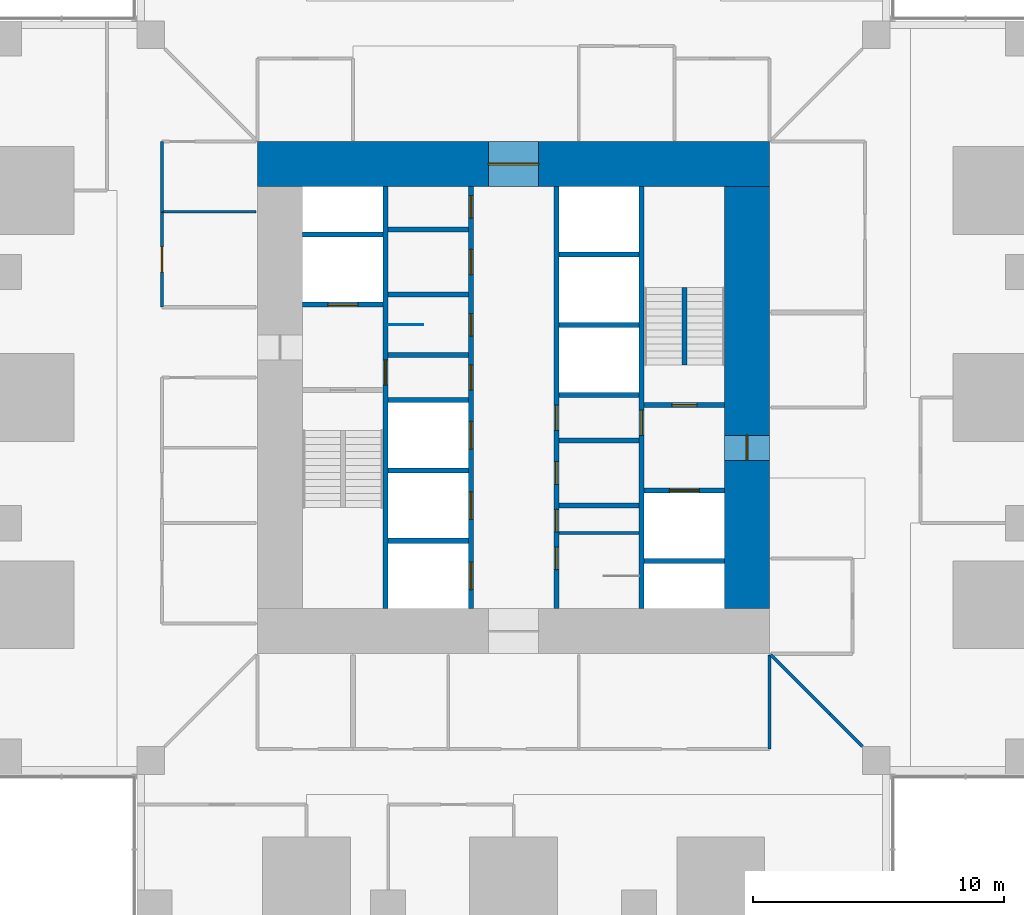
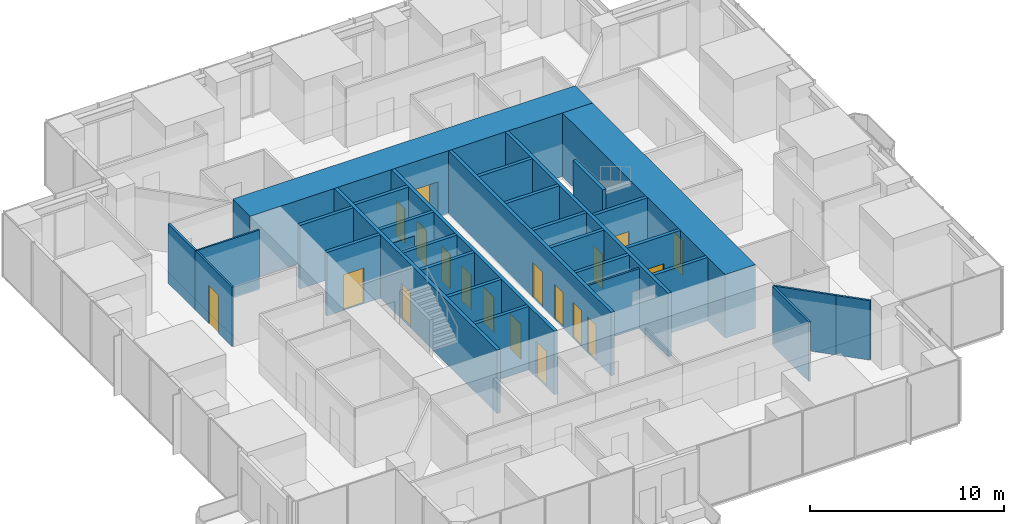
# One storey, part 12 of 17: 31 walls, 19 doors, 19 openings.
"""IFC4 building model written with IfcOpenShell, lengths in metres."""

from ifc_helpers import new_model, si_unit, direction, frame, frame_2d, origin, place, context, subcontext, project, spatial, rectangle, extrude, material, layer, layer_set, type_object, element, fill, save


model = new_model("IFC4")

# Units and contexts
model_context = context("Model", 3, precision=1e-05, world=origin(), true_north=direction((0.0, 1.0)))
body_context = subcontext(model_context, "Body", "Model", "MODEL_VIEW")
ifc_project = project(units=[si_unit("LENGTHUNIT", "METRE"), si_unit("AREAUNIT", "SQUARE_METRE"), si_unit("VOLUMEUNIT", "CUBIC_METRE"), si_unit("PLANEANGLEUNIT", "RADIAN"), si_unit("MASSUNIT", "GRAM", prefix="KILO")], contexts=[model_context])

# Site, building, storey
site_placement = place(None, origin())
site = spatial("IfcSite", under=ifc_project, at=site_placement, CompositionType="ELEMENT")
building_placement = place(site_placement, origin())
building = spatial("IfcBuilding", under=site, at=building_placement, Name="Svetlomir Tower", CompositionType="ELEMENT")
storey_placement = place(building_placement, frame((0.0, 0.0, 70.5)))
storey = spatial("IfcBuildingStorey", under=building, at=storey_placement, Name="L16", CompositionType="ELEMENT", Elevation=70.5)

# Wall, opening, door
ifc_material_1 = material(Name="Concrete C60/75", Category="concrete")
ifc_layer_1 = layer(ifc_material_1, 0.199951171875)
ifc_layer_set_1 = layer_set([ifc_layer_1], Name="Concrete C60/75")
wall_type_1 = type_object("IfcWallType", Name="CORE INNER WALL 200", PredefinedType="SHEAR", material=ifc_layer_set_1)
wall_1_placement = place(storey_placement, frame((15.89990234375, 12.60009765625, -0.050048828125), z_axis=(0.0, 0.0, 1.0), x_axis=(0.0, 1.0, 0.0)))
wall_1 = element("IfcWall", 1, at=wall_1_placement, inside=storey, type_object=wall_type_1, Name="Core inner wall 15.9 L16", PredefinedType="SHEAR", context=body_context, shape_type="SweptSolid", body=[
    extrude(rectangle(XDim=16.7998046875, YDim=0.199951171875, at=frame_2d((8.39990234375, 0.0))), origin(), (0.0, 0.0, 1.0), 4.0),
])
opening_1_placement = place(wall_1_placement, frame((8.89990234375, 0.0, 0.050048828125)))
opening_1 = element("IfcOpeningElement", 2, at=opening_1_placement, cuts=wall_1, Name="Opening DF", PredefinedType="OPENING", context=body_context, shape_type="SweptSolid", body=[
    extrude(rectangle(XDim=1.0, YDim=2.199951171875, at=frame_2d((0.5, 1.10009765625))), frame((0.0, 0.10986328125, 0.0), z_axis=(0.0, -1.0, 0.0), x_axis=(1.0, 0.0, 0.0)), (0.0, 0.0, 1.0), 0.219970703125),
])
ifc_material_2 = material(Name="Steel fire door", Category="steel")
door_type_1 = type_object("IfcDoorType", Name="DOOR DF 1000x2200", OperationType="SINGLE_SWING_LEFT", PredefinedType="DOOR", material=ifc_material_2)
door_1_placement = place(opening_1_placement, origin())
door_1 = element("IfcDoor", 3, at=door_1_placement, inside=storey, type_object=door_type_1, Name="Core corridor west door L16", OperationType="SINGLE_SWING_LEFT", OverallHeight=2.199951171875, OverallWidth=1.0, PredefinedType="DOOR", context=body_context, shape_type="SweptSolid", body=[
    extrude(rectangle(XDim=1.0, YDim=2.199951171875, at=frame_2d((0.5, 1.10009765625))), frame((0.0, 0.02490234375, 0.0), z_axis=(0.0, -1.0, 0.0), x_axis=(1.0, 0.0, 0.0)), (0.0, 0.0, 1.0), 0.050048828125),
])
fill(opening_1, door_1)

# Wall, openings, doors
wall_2_placement = place(storey_placement, frame((19.300048828125, 12.60009765625, -0.050048828125), z_axis=(0.0, 0.0, 1.0), x_axis=(0.0, 1.0, 0.0)))
wall_2 = element("IfcWall", 4, at=wall_2_placement, inside=storey, type_object=wall_type_1, Name="Core inner wall 19.3 L16", PredefinedType="SHEAR", context=body_context, shape_type="SweptSolid", body=[
    extrude(rectangle(XDim=16.7998046875, YDim=0.199951171875, at=frame_2d((8.39990234375, 0.0))), origin(), (0.0, 0.0, 1.0), 4.0),
])
opening_2_placement = place(wall_2_placement, frame((8.699951171875, 0.0, 0.050048828125)))
opening_2 = element("IfcOpeningElement", 5, at=opening_2_placement, cuts=wall_2, Name="Opening DC", PredefinedType="OPENING", context=body_context, shape_type="SweptSolid", body=[
    extrude(rectangle(XDim=1.0, YDim=2.199951171875, at=frame_2d((0.5, 1.10009765625))), frame((0.0, 0.10986328125, 0.0), z_axis=(0.0, -1.0, 0.0), x_axis=(1.0, 0.0, 0.0)), (0.0, 0.0, 1.0), 0.219970703125),
])
opening_3_placement = place(wall_2_placement, frame((10.85009765625, 0.0, 0.050048828125)))
opening_3 = element("IfcOpeningElement", 6, at=opening_3_placement, cuts=wall_2, Name="Opening DW", PredefinedType="OPENING", context=body_context, shape_type="SweptSolid", body=[
    extrude(rectangle(XDim=0.89990234375, YDim=2.199951171875, at=frame_2d((0.449951171875, 1.10009765625))), frame((0.0, 0.10986328125, 0.0), z_axis=(0.0, -1.0, 0.0), x_axis=(1.0, 0.0, 0.0)), (0.0, 0.0, 1.0), 0.219970703125),
])
opening_4_placement = place(wall_2_placement, frame((13.300048828125, 0.0, 0.050048828125)))
opening_4 = element("IfcOpeningElement", 7, at=opening_4_placement, cuts=wall_2, Name="Opening DC", PredefinedType="OPENING", context=body_context, shape_type="SweptSolid", body=[
    extrude(rectangle(XDim=1.0, YDim=2.199951171875, at=frame_2d((0.5, 1.10009765625))), frame((0.0, 0.10986328125, 0.0), z_axis=(0.0, -1.0, 0.0), x_axis=(1.0, 0.0, 0.0)), (0.0, 0.0, 1.0), 0.219970703125),
])
opening_5_placement = place(wall_2_placement, frame((15.550048828125, 0.0, 0.050048828125)))
opening_5 = element("IfcOpeningElement", 8, at=opening_5_placement, cuts=wall_2, Name="Opening DW", PredefinedType="OPENING", context=body_context, shape_type="SweptSolid", body=[
    extrude(rectangle(XDim=0.89990234375, YDim=2.199951171875, at=frame_2d((0.449951171875, 1.10009765625))), frame((0.0, 0.10986328125, 0.0), z_axis=(0.0, -1.0, 0.0), x_axis=(1.0, 0.0, 0.0)), (0.0, 0.0, 1.0), 0.219970703125),
])
opening_6_placement = place(wall_2_placement, frame((0.75, 0.0, 0.050048828125)))
opening_6 = element("IfcOpeningElement", 9, at=opening_6_placement, cuts=wall_2, Name="Opening LD", PredefinedType="OPENING", context=body_context, shape_type="SweptSolid", body=[
    extrude(rectangle(XDim=1.10009765625, YDim=2.199951171875, at=frame_2d((0.550048828125, 1.10009765625))), frame((0.0, 0.10986328125, 0.0), z_axis=(0.0, -1.0, 0.0), x_axis=(1.0, 0.0, 0.0)), (0.0, 0.0, 1.0), 0.219970703125),
])
opening_7_placement = place(wall_2_placement, frame((3.550048828125, 0.0, 0.050048828125)))
opening_7 = element("IfcOpeningElement", 10, at=opening_7_placement, cuts=wall_2, Name="Opening LD", PredefinedType="OPENING", context=body_context, shape_type="SweptSolid", body=[
    extrude(rectangle(XDim=1.10009765625, YDim=2.199951171875, at=frame_2d((0.550048828125, 1.10009765625))), frame((0.0, 0.10986328125, 0.0), z_axis=(0.0, -1.0, 0.0), x_axis=(1.0, 0.0, 0.0)), (0.0, 0.0, 1.0), 0.219970703125),
])
opening_8_placement = place(wall_2_placement, frame((6.35009765625, 0.0, 0.050048828125)))
opening_8 = element("IfcOpeningElement", 11, at=opening_8_placement, cuts=wall_2, Name="Opening LD", PredefinedType="OPENING", context=body_context, shape_type="SweptSolid", body=[
    extrude(rectangle(XDim=1.10009765625, YDim=2.199951171875, at=frame_2d((0.550048828125, 1.10009765625))), frame((0.0, 0.10986328125, 0.0), z_axis=(0.0, -1.0, 0.0), x_axis=(1.0, 0.0, 0.0)), (0.0, 0.0, 1.0), 0.219970703125),
])
ifc_material_3 = material(Name="Timber fire door", Category="wood")
door_type_2 = type_object("IfcDoorType", Name="DOOR DC 1000x2200", OperationType="SINGLE_SWING_LEFT", PredefinedType="DOOR", material=ifc_material_3)
door_2_placement = place(opening_2_placement, origin())
door_2 = element("IfcDoor", 12, at=door_2_placement, inside=storey, type_object=door_type_2, Name="Core corridor west lobby door L16", OperationType="SINGLE_SWING_RIGHT", OverallHeight=2.199951171875, OverallWidth=1.0, PredefinedType="DOOR", context=body_context, shape_type="SweptSolid", body=[
    extrude(rectangle(XDim=1.0, YDim=2.199951171875, at=frame_2d((0.5, 1.10009765625))), frame((0.0, 0.02490234375, 0.0), z_axis=(0.0, -1.0, 0.0), x_axis=(1.0, 0.0, 0.0)), (0.0, 0.0, 1.0), 0.050048828125),
])
fill(opening_2, door_2)
door_3_placement = place(opening_4_placement, origin())
door_3 = element("IfcDoor", 13, at=door_3_placement, inside=storey, type_object=door_type_2, Name="Accessible WC door L16", OperationType="SINGLE_SWING_LEFT", OverallHeight=2.199951171875, OverallWidth=1.0, PredefinedType="DOOR", context=body_context, shape_type="SweptSolid", body=[
    extrude(rectangle(XDim=1.0, YDim=2.199951171875, at=frame_2d((0.5, 1.10009765625))), frame((0.0, 0.02490234375, 0.0), z_axis=(0.0, -1.0, 0.0), x_axis=(1.0, 0.0, 0.0)), (0.0, 0.0, 1.0), 0.050048828125),
])
fill(opening_4, door_3)
ifc_material_4 = material(Name="Timber fire door", Category="wood")
door_type_3 = type_object("IfcDoorType", Name="DOOR DW 900x2200", OperationType="SINGLE_SWING_LEFT", PredefinedType="DOOR", material=ifc_material_4)
door_4_placement = place(opening_3_placement, origin())
door_4 = element("IfcDoor", 14, at=door_4_placement, inside=storey, type_object=door_type_3, Name="Female WC door L16", OperationType="SINGLE_SWING_RIGHT", OverallHeight=2.199951171875, OverallWidth=0.89990234375, PredefinedType="DOOR", context=body_context, shape_type="SweptSolid", body=[
    extrude(rectangle(XDim=0.89990234375, YDim=2.199951171875, at=frame_2d((0.449951171875, 1.10009765625))), frame((0.0, 0.02490234375, 0.0), z_axis=(0.0, -1.0, 0.0), x_axis=(1.0, 0.0, 0.0)), (0.0, 0.0, 1.0), 0.050048828125),
])
fill(opening_3, door_4)
door_5_placement = place(opening_5_placement, origin())
door_5 = element("IfcDoor", 15, at=door_5_placement, inside=storey, type_object=door_type_3, Name="Cleaner's store door L16", OperationType="SINGLE_SWING_RIGHT", OverallHeight=2.199951171875, OverallWidth=0.89990234375, PredefinedType="DOOR", context=body_context, shape_type="SweptSolid", body=[
    extrude(rectangle(XDim=0.89990234375, YDim=2.199951171875, at=frame_2d((0.449951171875, 1.10009765625))), frame((0.0, 0.02490234375, 0.0), z_axis=(0.0, -1.0, 0.0), x_axis=(1.0, 0.0, 0.0)), (0.0, 0.0, 1.0), 0.050048828125),
])
fill(opening_5, door_5)
ifc_material_5 = material(Name="Stainless steel landing door", Category="steel")
door_type_4 = type_object("IfcDoorType", Name="LIFT LANDING DOOR LD 1100x2200", OperationType="DOUBLE_DOOR_SLIDING", PredefinedType="DOOR", material=ifc_material_5)
door_6_placement = place(opening_6_placement, origin())
door_6 = element("IfcDoor", 16, at=door_6_placement, inside=storey, type_object=door_type_4, Name="Landing door lift LA1 L16", OperationType="DOUBLE_DOOR_SLIDING", OverallHeight=2.199951171875, OverallWidth=1.10009765625, PredefinedType="DOOR", context=body_context, shape_type="SweptSolid", body=[
    extrude(rectangle(XDim=1.10009765625, YDim=2.199951171875, at=frame_2d((0.550048828125, 1.10009765625))), frame((0.0, 0.02490234375, 0.0), z_axis=(0.0, -1.0, 0.0), x_axis=(1.0, 0.0, 0.0)), (0.0, 0.0, 1.0), 0.050048828125),
])
fill(opening_6, door_6)
door_7_placement = place(opening_7_placement, origin())
door_7 = element("IfcDoor", 17, at=door_7_placement, inside=storey, type_object=door_type_4, Name="Landing door lift LA2 L16", OperationType="DOUBLE_DOOR_SLIDING", OverallHeight=2.199951171875, OverallWidth=1.10009765625, PredefinedType="DOOR", context=body_context, shape_type="SweptSolid", body=[
    extrude(rectangle(XDim=1.10009765625, YDim=2.199951171875, at=frame_2d((0.550048828125, 1.10009765625))), frame((0.0, 0.02490234375, 0.0), z_axis=(0.0, -1.0, 0.0), x_axis=(1.0, 0.0, 0.0)), (0.0, 0.0, 1.0), 0.050048828125),
])
fill(opening_7, door_7)
door_8_placement = place(opening_8_placement, origin())
door_8 = element("IfcDoor", 18, at=door_8_placement, inside=storey, type_object=door_type_4, Name="Landing door lift LA3 L16", OperationType="DOUBLE_DOOR_SLIDING", OverallHeight=2.199951171875, OverallWidth=1.10009765625, PredefinedType="DOOR", context=body_context, shape_type="SweptSolid", body=[
    extrude(rectangle(XDim=1.10009765625, YDim=2.199951171875, at=frame_2d((0.550048828125, 1.10009765625))), frame((0.0, 0.02490234375, 0.0), z_axis=(0.0, -1.0, 0.0), x_axis=(1.0, 0.0, 0.0)), (0.0, 0.0, 1.0), 0.050048828125),
])
fill(opening_8, door_8)

wall_3_placement = place(storey_placement, frame((22.699951171875, 12.60009765625, -0.050048828125), z_axis=(0.0, 0.0, 1.0), x_axis=(0.0, 1.0, 0.0)))
wall_3 = element("IfcWall", 19, at=wall_3_placement, inside=storey, type_object=wall_type_1, Name="Core inner wall 22.7 L16", PredefinedType="SHEAR", context=body_context, shape_type="SweptSolid", body=[
    extrude(rectangle(XDim=16.7998046875, YDim=0.199951171875, at=frame_2d((8.39990234375, 0.0))), origin(), (0.0, 0.0, 1.0), 4.0),
])
opening_9_placement = place(wall_3_placement, frame((3.050048828125, 0.0, 0.050048828125)))
opening_9 = element("IfcOpeningElement", 20, at=opening_9_placement, cuts=wall_3, Name="Opening DW", PredefinedType="OPENING", context=body_context, shape_type="SweptSolid", body=[
    extrude(rectangle(XDim=0.89990234375, YDim=2.199951171875, at=frame_2d((0.449951171875, 1.10009765625))), frame((0.0, 0.10986328125, 0.0), z_axis=(0.0, -1.0, 0.0), x_axis=(1.0, 0.0, 0.0)), (0.0, 0.0, 1.0), 0.219970703125),
])
opening_10_placement = place(wall_3_placement, frame((7.10009765625, 0.0, 0.050048828125)))
opening_10 = element("IfcOpeningElement", 21, at=opening_10_placement, cuts=wall_3, Name="Opening DC", PredefinedType="OPENING", context=body_context, shape_type="SweptSolid", body=[
    extrude(rectangle(XDim=1.0, YDim=2.199951171875, at=frame_2d((0.5, 1.10009765625))), frame((0.0, 0.10986328125, 0.0), z_axis=(0.0, -1.0, 0.0), x_axis=(1.0, 0.0, 0.0)), (0.0, 0.0, 1.0), 0.219970703125),
])
opening_11_placement = place(wall_3_placement, frame((1.550048828125, 0.0, 0.050048828125)))
opening_11 = element("IfcOpeningElement", 22, at=opening_11_placement, cuts=wall_3, Name="Opening DW", PredefinedType="OPENING", context=body_context, shape_type="SweptSolid", body=[
    extrude(rectangle(XDim=0.89990234375, YDim=2.199951171875, at=frame_2d((0.449951171875, 1.10009765625))), frame((0.0, 0.10986328125, 0.0), z_axis=(0.0, -1.0, 0.0), x_axis=(1.0, 0.0, 0.0)), (0.0, 0.0, 1.0), 0.219970703125),
])
opening_12_placement = place(wall_3_placement, frame((4.949951171875, 0.0, 0.050048828125)))
opening_12 = element("IfcOpeningElement", 23, at=opening_12_placement, cuts=wall_3, Name="Opening DW", PredefinedType="OPENING", context=body_context, shape_type="SweptSolid", body=[
    extrude(rectangle(XDim=0.89990234375, YDim=2.199951171875, at=frame_2d((0.449951171875, 1.10009765625))), frame((0.0, 0.10986328125, 0.0), z_axis=(0.0, -1.0, 0.0), x_axis=(1.0, 0.0, 0.0)), (0.0, 0.0, 1.0), 0.219970703125),
])
door_9_placement = place(opening_10_placement, origin())
door_9 = element("IfcDoor", 24, at=door_9_placement, inside=storey, type_object=door_type_2, Name="Core corridor east lobby door L16", OperationType="SINGLE_SWING_LEFT", OverallHeight=2.199951171875, OverallWidth=1.0, PredefinedType="DOOR", context=body_context, shape_type="SweptSolid", body=[
    extrude(rectangle(XDim=1.0, YDim=2.199951171875, at=frame_2d((0.5, 1.10009765625))), frame((0.0, 0.02490234375, 0.0), z_axis=(0.0, -1.0, 0.0), x_axis=(1.0, 0.0, 0.0)), (0.0, 0.0, 1.0), 0.050048828125),
])
fill(opening_10, door_9)
door_10_placement = place(opening_9_placement, origin())
door_10 = element("IfcDoor", 25, at=door_10_placement, inside=storey, type_object=door_type_3, Name="Shower and changing room door L16", OperationType="SINGLE_SWING_LEFT", OverallHeight=2.199951171875, OverallWidth=0.89990234375, PredefinedType="DOOR", context=body_context, shape_type="SweptSolid", body=[
    extrude(rectangle(XDim=0.89990234375, YDim=2.199951171875, at=frame_2d((0.449951171875, 1.10009765625))), frame((0.0, 0.02490234375, 0.0), z_axis=(0.0, -1.0, 0.0), x_axis=(1.0, 0.0, 0.0)), (0.0, 0.0, 1.0), 0.050048828125),
])
fill(opening_9, door_10)
door_11_placement = place(opening_11_placement, origin())
door_11 = element("IfcDoor", 26, at=door_11_placement, inside=storey, type_object=door_type_3, Name="Male WC door L16", OperationType="SINGLE_SWING_RIGHT", OverallHeight=2.199951171875, OverallWidth=0.89990234375, PredefinedType="DOOR", context=body_context, shape_type="SweptSolid", body=[
    extrude(rectangle(XDim=0.89990234375, YDim=2.199951171875, at=frame_2d((0.449951171875, 1.10009765625))), frame((0.0, 0.02490234375, 0.0), z_axis=(0.0, -1.0, 0.0), x_axis=(1.0, 0.0, 0.0)), (0.0, 0.0, 1.0), 0.050048828125),
])
fill(opening_11, door_11)
door_12_placement = place(opening_12_placement, origin())
door_12 = element("IfcDoor", 27, at=door_12_placement, inside=storey, type_object=door_type_3, Name="Comms room door L16", OperationType="SINGLE_SWING_RIGHT", OverallHeight=2.199951171875, OverallWidth=0.89990234375, PredefinedType="DOOR", context=body_context, shape_type="SweptSolid", body=[
    extrude(rectangle(XDim=0.89990234375, YDim=2.199951171875, at=frame_2d((0.449951171875, 1.10009765625))), frame((0.0, 0.02490234375, 0.0), z_axis=(0.0, -1.0, 0.0), x_axis=(1.0, 0.0, 0.0)), (0.0, 0.0, 1.0), 0.050048828125),
])
fill(opening_12, door_12)

# Wall, opening, door
wall_4_placement = place(storey_placement, frame((26.10009765625, 12.60009765625, -0.050048828125), z_axis=(0.0, 0.0, 1.0), x_axis=(0.0, 1.0, 0.0)))
wall_4 = element("IfcWall", 28, at=wall_4_placement, inside=storey, type_object=wall_type_1, Name="Core inner wall 26.1 L16", PredefinedType="SHEAR", context=body_context, shape_type="SweptSolid", body=[
    extrude(rectangle(XDim=16.7998046875, YDim=0.199951171875, at=frame_2d((8.39990234375, 0.0))), origin(), (0.0, 0.0, 1.0), 4.0),
])
opening_13_placement = place(wall_4_placement, frame((6.89990234375, 0.0, 0.050048828125)))
opening_13 = element("IfcOpeningElement", 29, at=opening_13_placement, cuts=wall_4, Name="Opening DF", PredefinedType="OPENING", context=body_context, shape_type="SweptSolid", body=[
    extrude(rectangle(XDim=1.0, YDim=2.199951171875, at=frame_2d((0.5, 1.10009765625))), frame((0.0, 0.10986328125, 0.0), z_axis=(0.0, -1.0, 0.0), x_axis=(1.0, 0.0, 0.0)), (0.0, 0.0, 1.0), 0.219970703125),
])
door_13_placement = place(opening_13_placement, origin())
door_13 = element("IfcDoor", 30, at=door_13_placement, inside=storey, type_object=door_type_1, Name="Core corridor east door L16", OperationType="SINGLE_SWING_LEFT", OverallHeight=2.199951171875, OverallWidth=1.0, PredefinedType="DOOR", context=body_context, shape_type="SweptSolid", body=[
    extrude(rectangle(XDim=1.0, YDim=2.199951171875, at=frame_2d((0.5, 1.10009765625))), frame((0.0, 0.02490234375, 0.0), z_axis=(0.0, -1.0, 0.0), x_axis=(1.0, 0.0, 0.0)), (0.0, 0.0, 1.0), 0.050048828125),
])
fill(opening_13, door_13)

wall_5_placement = place(storey_placement, frame((12.60009765625, 24.699951171875, -0.050048828125), z_axis=(0.0, 0.0, 1.0), x_axis=(1.0, 0.0, 0.0)))
wall_5 = element("IfcWall", 31, at=wall_5_placement, inside=storey, type_object=wall_type_1, Name="Core inner wall 12.6-15.8/24.7 L16", PredefinedType="SHEAR", context=body_context, shape_type="SweptSolid", body=[
    extrude(rectangle(XDim=3.199951171875, YDim=0.199951171875, at=frame_2d((1.60009765625, 0.0))), origin(), (0.0, 0.0, 1.0), 4.0),
])
opening_14_placement = place(wall_5_placement, frame((1.0, 0.0, 0.050048828125)))
opening_14 = element("IfcOpeningElement", 32, at=opening_14_placement, cuts=wall_5, Name="Opening LD3", PredefinedType="OPENING", context=body_context, shape_type="SweptSolid", body=[
    extrude(rectangle(XDim=1.199951171875, YDim=2.199951171875, at=frame_2d((0.60009765625, 1.10009765625))), frame((0.0, 0.10986328125, 0.0), z_axis=(0.0, -1.0, 0.0), x_axis=(1.0, 0.0, 0.0)), (0.0, 0.0, 1.0), 0.219970703125),
])
ifc_material_6 = material(Name="Stainless steel fire-rated landing door", Category="steel")
door_type_5 = type_object("IfcDoorType", Name="FIREFIGHTING LIFT LANDING DOOR LD3 1200x2200", OperationType="DOUBLE_DOOR_SLIDING", PredefinedType="DOOR", material=ifc_material_6)
door_14_placement = place(opening_14_placement, origin())
door_14 = element("IfcDoor", 33, at=door_14_placement, inside=storey, type_object=door_type_5, Name="Landing door lift FL1 L16", OperationType="DOUBLE_DOOR_SLIDING", OverallHeight=2.199951171875, OverallWidth=1.199951171875, PredefinedType="DOOR", context=body_context, shape_type="SweptSolid", body=[
    extrude(rectangle(XDim=1.199951171875, YDim=2.199951171875, at=frame_2d((0.60009765625, 1.10009765625))), frame((0.0, 0.02490234375, 0.0), z_axis=(0.0, -1.0, 0.0), x_axis=(1.0, 0.0, 0.0)), (0.0, 0.0, 1.0), 0.050048828125),
])
fill(opening_14, door_14)

# Walls
for number, where, z_axis, x_axis, name in (
    (34, (12.60009765625, 27.5, -0.050048828125), (0.0, 0.0, 1.0), (1.0, 0.0, 0.0), "Core inner wall 12.6-15.8/27.5 L16"),
    (35, (16.0, 15.300048828125, -0.050048828125), (0.0, 0.0, 1.0), (1.0, 0.0, 0.0), "Core inner wall 16-19.2/15.3 L16"),
    (36, (16.0, 18.10009765625, -0.050048828125), (0.0, 0.0, 1.0), (1.0, 0.0, 0.0), "Core inner wall 16-19.2/18.1 L16"),
    (37, (16.0, 20.89990234375, -0.050048828125), (0.0, 0.0, 1.0), (1.0, 0.0, 0.0), "Core inner wall 16-19.2/20.9 L16"),
    (38, (16.0, 22.699951171875, -0.050048828125), (0.0, 0.0, 1.0), (1.0, 0.0, 0.0), "Core inner wall 16-19.2/22.7 L16"),
    (39, (16.0, 25.10009765625, -0.050048828125), (0.0, 0.0, 1.0), (1.0, 0.0, 0.0), "Core inner wall 16-19.2/25.1 L16"),
    (40, (16.0, 27.699951171875, -0.050048828125), (0.0, 0.0, 1.0), (1.0, 0.0, 0.0), "Core inner wall 16-19.2/27.7 L16"),
    (41, (22.800048828125, 16.699951171875, -0.050048828125), (0.0, 0.0, 1.0), (1.0, 0.0, 0.0), "Core inner wall 22.8-26/16.7 L16"),
    (42, (22.800048828125, 19.300048828125, -0.050048828125), (0.0, 0.0, 1.0), (1.0, 0.0, 0.0), "Core inner wall 22.8-26/19.3 L16"),
    (43, (22.800048828125, 21.10009765625, -0.050048828125), (0.0, 0.0, 1.0), (1.0, 0.0, 0.0), "Core inner wall 22.8-26/21.1 L16"),
    (44, (22.800048828125, 23.89990234375, -0.050048828125), (0.0, 0.0, 1.0), (1.0, 0.0, 0.0), "Core inner wall 22.8-26/23.9 L16"),
    (45, (22.800048828125, 26.699951171875, -0.050048828125), (0.0, 0.0, 1.0), (1.0, 0.0, 0.0), "Core inner wall 22.8-26/26.7 L16"),
    (46, (26.199951171875, 14.5, -0.050048828125), (0.0, 0.0, 1.0), (1.0, 0.0, 0.0), "Core inner wall 26.2-29.4/14.5 L16"),
):
    element("IfcWall", number, at=place(storey_placement, frame(where, z_axis=z_axis, x_axis=x_axis)), inside=storey, type_object=wall_type_1, Name=name, PredefinedType="SHEAR", context=body_context, shape_type="SweptSolid", body=[
        extrude(rectangle(XDim=3.199951171875, YDim=0.199951171875, at=frame_2d((1.60009765625, 0.0))), origin(), (0.0, 0.0, 1.0), 4.0),
    ])

# Wall, opening, door
wall_6_placement = place(storey_placement, frame((26.199951171875, 17.300048828125, -0.050048828125), z_axis=(0.0, 0.0, 1.0), x_axis=(1.0, 0.0, 0.0)))
wall_6 = element("IfcWall", 47, at=wall_6_placement, inside=storey, type_object=wall_type_1, Name="Core inner wall 26.2-29.4/17.3 L16", PredefinedType="SHEAR", context=body_context, shape_type="SweptSolid", body=[
    extrude(rectangle(XDim=3.199951171875, YDim=0.199951171875, at=frame_2d((1.60009765625, 0.0))), origin(), (0.0, 0.0, 1.0), 4.0),
])
opening_15_placement = place(wall_6_placement, frame((1.0, 0.0, 0.050048828125)))
opening_15 = element("IfcOpeningElement", 48, at=opening_15_placement, cuts=wall_6, Name="Opening LD3", PredefinedType="OPENING", context=body_context, shape_type="SweptSolid", body=[
    extrude(rectangle(XDim=1.199951171875, YDim=2.199951171875, at=frame_2d((0.60009765625, 1.10009765625))), frame((0.0, 0.10986328125, 0.0), z_axis=(0.0, -1.0, 0.0), x_axis=(1.0, 0.0, 0.0)), (0.0, 0.0, 1.0), 0.219970703125),
])
door_15_placement = place(opening_15_placement, origin())
door_15 = element("IfcDoor", 49, at=door_15_placement, inside=storey, type_object=door_type_5, Name="Landing door lift FL2 L16", OperationType="DOUBLE_DOOR_SLIDING", OverallHeight=2.199951171875, OverallWidth=1.199951171875, PredefinedType="DOOR", context=body_context, shape_type="SweptSolid", body=[
    extrude(rectangle(XDim=1.199951171875, YDim=2.199951171875, at=frame_2d((0.60009765625, 1.10009765625))), frame((0.0, 0.02490234375, 0.0), z_axis=(0.0, -1.0, 0.0), x_axis=(1.0, 0.0, 0.0)), (0.0, 0.0, 1.0), 0.050048828125),
])
fill(opening_15, door_15)

wall_7_placement = place(storey_placement, frame((26.199951171875, 20.699951171875, -0.050048828125), z_axis=(0.0, 0.0, 1.0), x_axis=(1.0, 0.0, 0.0)))
wall_7 = element("IfcWall", 50, at=wall_7_placement, inside=storey, type_object=wall_type_1, Name="Core inner wall 26.2-29.4/20.7 L16", PredefinedType="SHEAR", context=body_context, shape_type="SweptSolid", body=[
    extrude(rectangle(XDim=3.199951171875, YDim=0.199951171875, at=frame_2d((1.60009765625, 0.0))), origin(), (0.0, 0.0, 1.0), 4.0),
])
opening_16_placement = place(wall_7_placement, frame((1.10009765625, 0.0, 0.050048828125)))
opening_16 = element("IfcOpeningElement", 51, at=opening_16_placement, cuts=wall_7, Name="Opening DF", PredefinedType="OPENING", context=body_context, shape_type="SweptSolid", body=[
    extrude(rectangle(XDim=1.0, YDim=2.199951171875, at=frame_2d((0.5, 1.10009765625))), frame((0.0, 0.10986328125, 0.0), z_axis=(0.0, -1.0, 0.0), x_axis=(1.0, 0.0, 0.0)), (0.0, 0.0, 1.0), 0.219970703125),
])
door_16_placement = place(opening_16_placement, origin())
door_16 = element("IfcDoor", 52, at=door_16_placement, inside=storey, type_object=door_type_1, Name="Stair S2 door L16", OperationType="SINGLE_SWING_LEFT", OverallHeight=2.199951171875, OverallWidth=1.0, PredefinedType="DOOR", context=body_context, shape_type="SweptSolid", body=[
    extrude(rectangle(XDim=1.0, YDim=2.199951171875, at=frame_2d((0.5, 1.10009765625))), frame((0.0, 0.02490234375, 0.0), z_axis=(0.0, -1.0, 0.0), x_axis=(1.0, 0.0, 0.0)), (0.0, 0.0, 1.0), 0.050048828125),
])
fill(opening_16, door_16)

ifc_material_7 = material(Name="Concrete C60/75", Category="concrete")
ifc_layer_2 = layer(ifc_material_7, 1.800048828125)
ifc_layer_set_2 = layer_set([ifc_layer_2], Name="Concrete C60/75")
wall_type_2 = type_object("IfcWallType", Name="CORE WALL 1800", PredefinedType="SHEAR", material=ifc_layer_set_2)
wall_8_placement = place(storey_placement, frame((10.800048828125, 30.300048828125, -0.050048828125), z_axis=(0.0, 0.0, 1.0), x_axis=(1.0, 0.0, 0.0)))
wall_8 = element("IfcWall", 53, at=wall_8_placement, inside=storey, type_object=wall_type_2, Name="Core wall north L16", PredefinedType="SHEAR", context=body_context, shape_type="SweptSolid", body=[
    extrude(rectangle(XDim=20.39990234375, YDim=1.800048828125, at=frame_2d((10.199951171875, 0.0))), origin(), (0.0, 0.0, 1.0), 4.0),
])
opening_17_placement = place(wall_8_placement, frame((9.199951171875, 0.0, 0.050048828125)))
opening_17 = element("IfcOpeningElement", 54, at=opening_17_placement, cuts=wall_8, Name="Opening DL", PredefinedType="OPENING", context=body_context, shape_type="SweptSolid", body=[
    extrude(rectangle(XDim=2.0, YDim=2.199951171875, at=frame_2d((1.0, 1.10009765625))), frame((0.0, 0.91015625, 0.0), z_axis=(0.0, -1.0, 0.0), x_axis=(1.0, 0.0, 0.0)), (0.0, 0.0, 1.0), 1.820068359375),
])
ifc_material_8 = material(Name="Steel fire door", Category="steel")
door_type_6 = type_object("IfcDoorType", Name="DOOR DL 2000x2200", OperationType="DOUBLE_DOOR_SINGLE_SWING", PredefinedType="DOOR", material=ifc_material_8)
door_17_placement = place(opening_17_placement, origin())
door_17 = element("IfcDoor", 55, at=door_17_placement, inside=storey, type_object=door_type_6, Name="Lift lobby north door L16", OperationType="DOUBLE_DOOR_SINGLE_SWING", OverallHeight=2.199951171875, OverallWidth=2.0, PredefinedType="DOOR", context=body_context, shape_type="SweptSolid", body=[
    extrude(rectangle(XDim=2.0, YDim=2.199951171875, at=frame_2d((1.0, 1.10009765625))), frame((0.0, 0.02490234375, 0.0), z_axis=(0.0, -1.0, 0.0), x_axis=(1.0, 0.0, 0.0)), (0.0, 0.0, 1.0), 0.050048828125),
])
fill(opening_17, door_17)

wall_9_placement = place(storey_placement, frame((30.300048828125, 12.60009765625, -0.050048828125), z_axis=(0.0, 0.0, 1.0), x_axis=(0.0, 1.0, 0.0)))
wall_9 = element("IfcWall", 56, at=wall_9_placement, inside=storey, type_object=wall_type_2, Name="Core wall east L16", PredefinedType="SHEAR", context=body_context, shape_type="SweptSolid", body=[
    extrude(rectangle(XDim=16.7998046875, YDim=1.800048828125, at=frame_2d((8.39990234375, 0.0))), origin(), (0.0, 0.0, 1.0), 4.0),
])
opening_18_placement = place(wall_9_placement, frame((5.89990234375, 0.0, 0.050048828125)))
opening_18 = element("IfcOpeningElement", 57, at=opening_18_placement, cuts=wall_9, Name="Opening DF", PredefinedType="OPENING", context=body_context, shape_type="SweptSolid", body=[
    extrude(rectangle(XDim=1.0, YDim=2.199951171875, at=frame_2d((0.5, 1.10009765625))), frame((0.0, 0.91015625, 0.0), z_axis=(0.0, -1.0, 0.0), x_axis=(1.0, 0.0, 0.0)), (0.0, 0.0, 1.0), 1.820068359375),
])
door_18_placement = place(opening_18_placement, origin())
door_18 = element("IfcDoor", 58, at=door_18_placement, inside=storey, type_object=door_type_1, Name="Firefighting lobby east door L16", OperationType="SINGLE_SWING_LEFT", OverallHeight=2.199951171875, OverallWidth=1.0, PredefinedType="DOOR", context=body_context, shape_type="SweptSolid", body=[
    extrude(rectangle(XDim=1.0, YDim=2.199951171875, at=frame_2d((0.5, 1.10009765625))), frame((0.0, 0.02490234375, 0.0), z_axis=(0.0, -1.0, 0.0), x_axis=(1.0, 0.0, 0.0)), (0.0, 0.0, 1.0), 0.050048828125),
])
fill(opening_18, door_18)

# Walls
ifc_material_9 = material(Name="Framed laminated glass partition", Category="glass")
ifc_layer_3 = layer(ifc_material_9, 0.10009765625)
ifc_layer_set_3 = layer_set([ifc_layer_3], Name="Framed laminated glass partition")
wall_type_3 = type_object("IfcWallType", Name="GLAZED PARTITION 100", PredefinedType="PARTITIONING", material=ifc_layer_set_3)
wall_10_placement = place(storey_placement, frame((7.0, 28.39990234375, 0.0), z_axis=(0.0, 0.0, 1.0), x_axis=(1.0, 0.0, 0.0)))
element("IfcWall", 59, at=wall_10_placement, inside=storey, type_object=wall_type_3, Name="Glazed partition L16", PredefinedType="PARTITIONING", context=body_context, shape_type="SweptSolid", body=[
    extrude(rectangle(XDim=3.75, YDim=0.10009765625, at=frame_2d((1.875, 0.0))), origin(), (0.0, 0.0, 1.0), 3.75),
])
ifc_material_10 = material(Name="Gypsum board on steel studs", Category="steel")
ifc_layer_4 = layer(ifc_material_10, 0.1201171875)
ifc_layer_set_4 = layer_set([ifc_layer_4], Name="Gypsum board on steel studs")
wall_type_4 = type_object("IfcWallType", Name="PARTITION 120", PredefinedType="PARTITIONING", material=ifc_layer_set_4)
wall_11_placement = place(storey_placement, frame((22.800048828125, 15.60009765625, 0.0), z_axis=(0.0, 0.0, 1.0), x_axis=(1.0, 0.0, 0.0)))
element("IfcWall", 60, at=wall_11_placement, inside=storey, type_object=wall_type_4, Name="Shower room partition L16", PredefinedType="PARTITIONING", context=body_context, shape_type="SweptSolid", body=[
    extrude(rectangle(XDim=3.199951171875, YDim=0.1201171875, at=frame_2d((1.60009765625, 0.0))), origin(), (0.0, 0.0, 1.0), 3.75),
])

# Wall, opening, door
wall_12_placement = place(storey_placement, frame((7.0, 24.60009765625, 0.0), z_axis=(0.0, 0.0, 1.0), x_axis=(0.0, 1.0, 0.0)))
wall_12 = element("IfcWall", 61, at=wall_12_placement, inside=storey, type_object=wall_type_4, Name="Partition L16", PredefinedType="PARTITIONING", context=body_context, shape_type="SweptSolid", body=[
    extrude(rectangle(XDim=3.7998046875, YDim=0.1201171875, at=frame_2d((1.89990234375, 0.0))), origin(), (0.0, 0.0, 1.0), 3.75),
])
opening_19_placement = place(wall_12_placement, frame((1.39990234375, 0.0, 0.0)))
opening_19 = element("IfcOpeningElement", 62, at=opening_19_placement, cuts=wall_12, Name="Opening DG", PredefinedType="OPENING", context=body_context, shape_type="SweptSolid", body=[
    extrude(rectangle(XDim=1.0, YDim=2.39990234375, at=frame_2d((0.5, 1.199951171875))), frame((0.0, 0.070068359375, 0.0), z_axis=(0.0, -1.0, 0.0), x_axis=(1.0, 0.0, 0.0)), (0.0, 0.0, 1.0), 0.14013671875),
])
ifc_material_11 = material(Name="Framed laminated glass door", Category="glass")
door_type_7 = type_object("IfcDoorType", Name="GLAZED DOOR DG 1000x2400", OperationType="SINGLE_SWING_LEFT", PredefinedType="DOOR", material=ifc_material_11)
door_19_placement = place(opening_19_placement, origin())
door_19 = element("IfcDoor", 63, at=door_19_placement, inside=storey, type_object=door_type_7, Name="Quiet room door L16", OperationType="SINGLE_SWING_LEFT", OverallHeight=2.39990234375, OverallWidth=1.0, PredefinedType="DOOR", context=body_context, shape_type="SweptSolid", body=[
    extrude(rectangle(XDim=1.0, YDim=2.39990234375, at=frame_2d((0.5, 1.199951171875))), frame((0.0, 0.02490234375, 0.0), z_axis=(0.0, -1.0, 0.0), x_axis=(1.0, 0.0, 0.0)), (0.0, 0.0, 1.0), 0.050048828125),
])
fill(opening_19, door_19)

# Walls
wall_13_placement = place(storey_placement, frame((7.0, 28.39990234375, 0.0), z_axis=(0.0, 0.0, 1.0), x_axis=(0.0, 1.0, 0.0)))
element("IfcWall", 64, at=wall_13_placement, inside=storey, type_object=wall_type_4, Name="Partition L16", PredefinedType="PARTITIONING", context=body_context, shape_type="SweptSolid", body=[
    extrude(rectangle(XDim=2.800048828125, YDim=0.1201171875, at=frame_2d((1.39990234375, 0.0))), origin(), (0.0, 0.0, 1.0), 3.75),
])
wall_14_placement = place(storey_placement, frame((31.199951171875, 7.0, 0.0), z_axis=(0.0, 0.0, 1.0), x_axis=(0.0, 1.0, 0.0)))
element("IfcWall", 65, at=wall_14_placement, inside=storey, type_object=wall_type_4, Name="Partition L16", PredefinedType="PARTITIONING", context=body_context, shape_type="SweptSolid", body=[
    extrude(rectangle(XDim=3.75, YDim=0.1201171875, at=frame_2d((1.875, 0.0))), origin(), (0.0, 0.0, 1.0), 3.75),
])
wall_15_placement = place(storey_placement, frame((31.2353515625, 10.7646484375, 0.0), z_axis=(0.0, 0.0, 1.0), x_axis=(0.707106781187, -0.707106781187, 0.0)))
element("IfcWall", 66, at=wall_15_placement, inside=storey, type_object=wall_type_4, Name="Partition L16", PredefinedType="PARTITIONING", context=body_context, shape_type="SweptSolid", body=[
    extrude(rectangle(XDim=3.346435546875, YDim=0.1201171875, at=frame_2d((1.67333984375, 0.0))), origin(), (0.0, 0.0, 1.0), 3.75),
])
wall_16_placement = place(storey_placement, frame((33.6015625, 8.3984375, 0.0), z_axis=(0.0, 0.0, 1.0), x_axis=(0.707106781187, -0.707106781187, 0.0)))
element("IfcWall", 67, at=wall_16_placement, inside=storey, type_object=wall_type_4, Name="Partition L16", PredefinedType="PARTITIONING", context=body_context, shape_type="SweptSolid", body=[
    extrude(rectangle(XDim=1.822021484375, YDim=0.1201171875, at=frame_2d((0.9111328125, 0.0))), origin(), (0.0, 0.0, 1.0), 3.75),
])
ifc_material_12 = material(Name="Concrete C60/75", Category="concrete")
ifc_layer_5 = layer(ifc_material_12, 0.199951171875)
ifc_layer_set_5 = layer_set([ifc_layer_5], Name="Concrete C60/75")
wall_type_5 = type_object("IfcWallType", Name="STAIR SPINE WALL 200", PredefinedType="PARTITIONING", material=ifc_layer_set_5)
wall_17_placement = place(storey_placement, frame((27.800048828125, 22.300048828125, 0.0), z_axis=(0.0, 0.0, 1.0), x_axis=(0.0, 1.0, 0.0)))
element("IfcWall", 68, at=wall_17_placement, inside=storey, type_object=wall_type_5, Name="Stair S2 spine wall L16", PredefinedType="PARTITIONING", context=body_context, shape_type="SweptSolid", body=[
    extrude(rectangle(XDim=3.079833984375, YDim=0.199951171875, at=frame_2d((1.5400390625, 0.0))), origin(), (0.0, 0.0, 1.0), 4.0),
])
ifc_material_13 = material(Name="Compact laminate panel", Category="plastic")
ifc_layer_6 = layer(ifc_material_13, 0.030029296875)
ifc_layer_set_6 = layer_set([ifc_layer_6], Name="Compact laminate panel")
wall_type_6 = type_object("IfcWallType", Name="WC CUBICLE PARTITION 30", PredefinedType="PARTITIONING", material=ifc_layer_set_6)
wall_18_placement = place(storey_placement, frame((16.0, 23.89990234375, 0.0), z_axis=(0.0, 0.0, 1.0), x_axis=(1.0, 0.0, 0.0)))
element("IfcWall", 69, at=wall_18_placement, inside=storey, type_object=wall_type_6, Name="WC cubicle partition L16", PredefinedType="PARTITIONING", context=body_context, shape_type="SweptSolid", body=[
    extrude(rectangle(XDim=1.39990234375, YDim=0.030029296875, at=frame_2d((0.699951171875, 0.0))), origin(), (0.0, 0.0, 1.0), 3.75),
])

save(model, "model.ifc")
